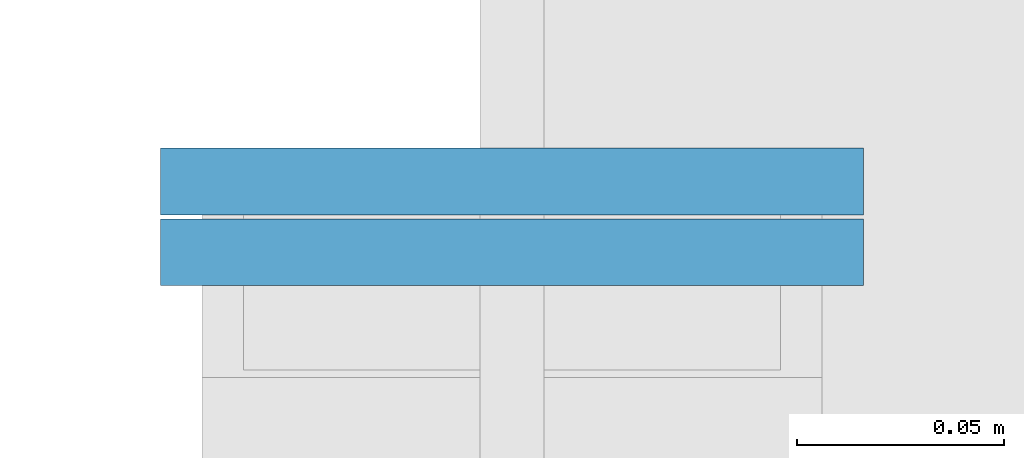
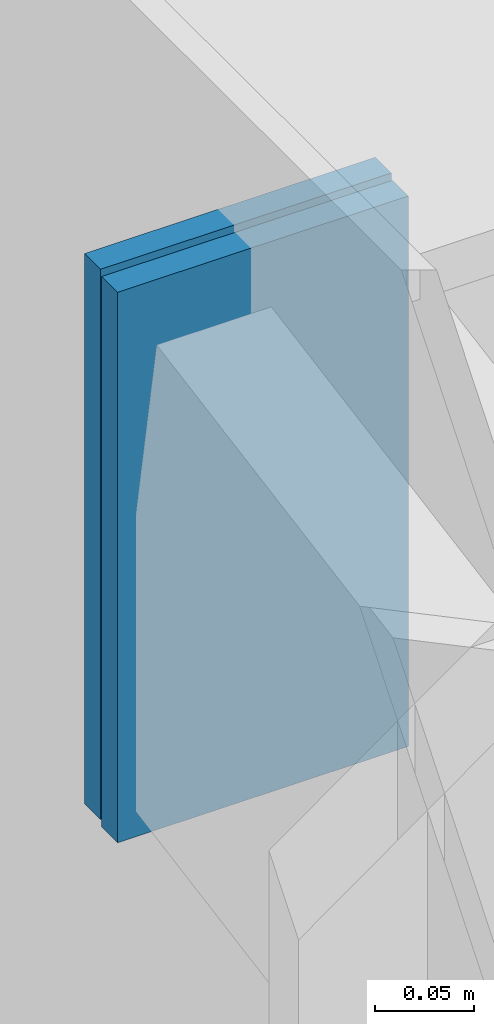
# One storey, part 57 of 63: 2 plates.
"""IFC4 building model written with IfcOpenShell, lengths in metres."""

from ifc_helpers import new_model, si_unit, direction, frame, origin, origin_2d, place, context, subcontext, project, spatial, rectangle, extrude, material, layer, layer_set, type_object, element, save


model = new_model("IFC4")

# Units and contexts
model_context = context("Model", 3, precision=1e-05, world=origin(), true_north=direction((0.0, 1.0)))
body_context = subcontext(model_context, "Body", "Model", "MODEL_VIEW")
ifc_project = project(units=[si_unit("LENGTHUNIT", "METRE"), si_unit("AREAUNIT", "SQUARE_METRE"), si_unit("VOLUMEUNIT", "CUBIC_METRE"), si_unit("PLANEANGLEUNIT", "RADIAN"), si_unit("MASSUNIT", "GRAM", prefix="KILO")], contexts=[model_context])

# Site, building, storey
site_placement = place(None, origin())
site = spatial("IfcSite", under=ifc_project, at=site_placement, CompositionType="ELEMENT")
building_placement = place(site_placement, origin())
building = spatial("IfcBuilding", under=site, at=building_placement, Name="Solvadek Multi-Sports Hall", CompositionType="ELEMENT")
storey_placement = place(building_placement, frame((0.0, 0.0, 19.199951171875)))
storey = spatial("IfcBuildingStorey", under=building, at=storey_placement, Name="RF", CompositionType="ELEMENT", Elevation=19.199951171875)

# Plates
ifc_material = material(Name="Steel E350 (350 MPa)", Category="steel")
ifc_layer = layer(ifc_material, 0.01611328125, Name="Steel E350 (350 MPa)")
ifc_layer_set = layer_set([ifc_layer], Name="Steel E350 (350 MPa)")
plate_type = type_object("IfcPlateType", Name="STR-PLT-CAP16", PredefinedType="USERDEFINED", material=ifc_layer_set)
for number, where, z_axis, x_axis, name in (
    (1, (136.800048828125, 70.803955078125, 1.23828125), (0.0, 0.0, 1.0), (1.0, 0.0, 0.0), "V2 Rafter End Cap Plate #70"),
    (2, (136.800048828125, 70.821044921875, 1.2421875), (0.0, 0.0, 1.0), (1.0, 0.0, 0.0), "V2 Rafter Shoe Cap Plate #71"),
):
    element("IfcPlate", number, at=place(storey_placement, frame(where, z_axis=z_axis, x_axis=x_axis)), inside=storey, type_object=plate_type, Name=name, ObjectType="BASE_PLATE", PredefinedType="USERDEFINED", context=body_context, shape_type="SweptSolid", body=[
        extrude(rectangle(XDim=0.169921875, YDim=0.01611328125, at=origin_2d()), origin(), (0.0, 0.0, 1.0), 0.340087890625),
    ])

save(model, "model.ifc")
